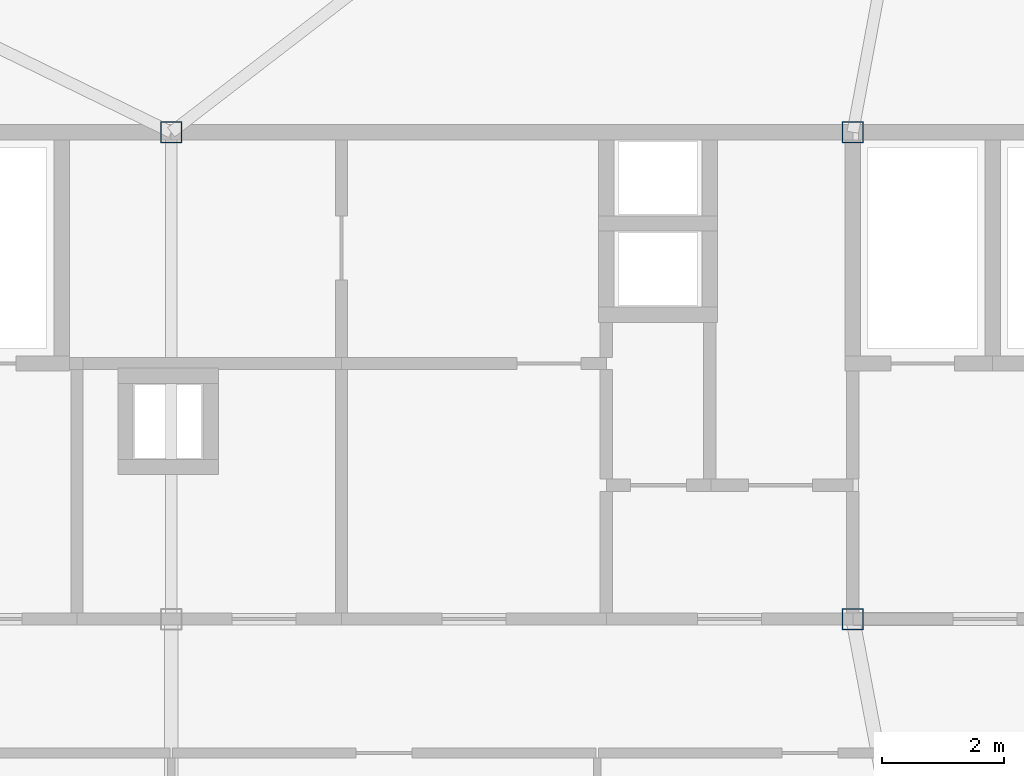
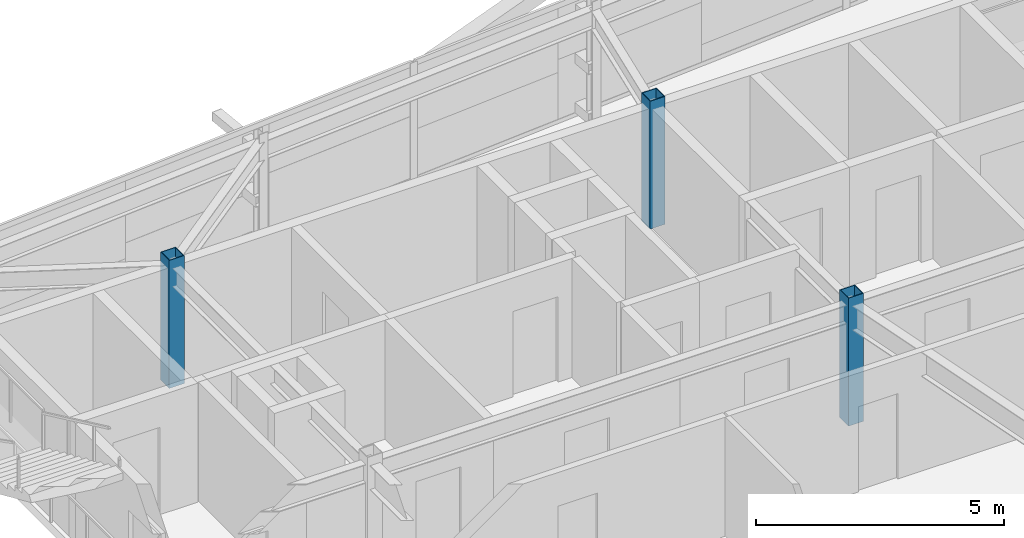
# One storey, part 3 of 39: 3 columns.
"""IFC4 building model written with IfcOpenShell, lengths in metres."""

import ifcopenshell
import ifcopenshell.guid

model = None  # the IFC model being written
_history = None  # IfcOwnerHistory: only IFC2X3 demands one
_inside = {}  # id of a spatial element -> (the spatial element, [elements in it])
_under = {}  # id of a project, library or spatial element -> (it, [spatial elements below it])
_declared = {}  # id of a project -> (the project, [libraries it declares])
_typed = {}  # id of a type object -> (the type object, [elements of that type])
_made_of = {}  # id of a material, layer set ... -> (it, [elements and type objects made of it])


def new_model(schema):
    """Start an empty IFC model of exactly this schema.

    Asked for "IFC4X3", IfcOpenShell would pick the latest addendum, in which some entities
    have other attributes; the version numbers below select the first issue.
    IFC2X3 requires an IfcOwnerHistory on every rooted entity: one is made here for all.
    """
    global model, _history
    if schema == "IFC4X3":
        model = ifcopenshell.file(schema_version=(4, 3, 0, 0))
    else:
        model = ifcopenshell.file(schema=schema)
    _inside.clear()
    _under.clear()
    _declared.clear()
    _typed.clear()
    _made_of.clear()
    _history = None
    if model.schema == "IFC2X3":
        org = make("IfcOrganization", Name="unknown")
        user = make(
            "IfcPersonAndOrganization",
            ThePerson=make("IfcPerson", FamilyName="unknown"),
            TheOrganization=org,
        )
        app = make(
            "IfcApplication",
            ApplicationDeveloper=org,
            Version="unknown",
            ApplicationFullName="unknown",
            ApplicationIdentifier="unknown",
        )
        _history = make(
            "IfcOwnerHistory",
            OwningUser=user,
            OwningApplication=app,
            ChangeAction="ADDED",
            CreationDate=0,
        )
    return model


def make(cls, **values):
    """One entity of the class cls with the attributes given. An attribute that is None is left unset."""
    return model.create_entity(
        cls, **{name: value for name, value in values.items() if value is not None}
    )


def rooted(cls, **values):
    """An entity with a GlobalId (a new one), such as an element, a storey or a relation."""
    return make(cls, GlobalId=ifcopenshell.guid.new(), OwnerHistory=_history, **values)


def si_unit(unit_type, name, prefix=None):
    """IfcSIUnit, for example si_unit("LENGTHUNIT", "METRE", prefix="MILLI")."""
    return make("IfcSIUnit", UnitType=unit_type, Prefix=prefix, Name=name)


def assignment(units):
    """IfcUnitAssignment: the units of a project."""
    return None if units is None else make("IfcUnitAssignment", Units=units)


def point(xyz):
    """IfcCartesianPoint."""
    return None if xyz is None else make("IfcCartesianPoint", Coordinates=xyz)


def direction(xyz):
    """IfcDirection."""
    return None if xyz is None else make("IfcDirection", DirectionRatios=xyz)


def frame(location, z_axis=None, x_axis=None):
    """IfcAxis2Placement3D, a coordinate frame: its origin and axes. An axis left out is left unset."""
    return make(
        "IfcAxis2Placement3D",
        Location=point(location),
        Axis=direction(z_axis),
        RefDirection=direction(x_axis),
    )


def frame_2d(location, x_axis=None):
    """IfcAxis2Placement2D, a coordinate frame in the plane: its origin and x axis."""
    return make(
        "IfcAxis2Placement2D", Location=point(location), RefDirection=direction(x_axis)
    )


def origin():
    """The frame at (0, 0, 0) with its axes left unset."""
    return frame((0.0, 0.0, 0.0))


def origin_2d():
    """The frame at (0, 0) in the plane with its x axis left unset."""
    return frame_2d((0.0, 0.0))


def place(relative_to, where):
    """IfcLocalPlacement: puts the frame where relative to a parent placement (None: the world)."""
    return make(
        "IfcLocalPlacement", PlacementRelTo=relative_to, RelativePlacement=where
    )


def context(
    kind, dimensions, precision=None, world=None, true_north=None, identifier=None
):
    """IfcGeometricRepresentationContext, for example the 3D "Model" context."""
    return make(
        "IfcGeometricRepresentationContext",
        ContextIdentifier=identifier,
        ContextType=kind,
        CoordinateSpaceDimension=dimensions,
        Precision=precision,
        WorldCoordinateSystem=world,
        TrueNorth=true_north,
    )


def subcontext(parent, identifier, kind, view, scale=None):
    """IfcGeometricRepresentationSubContext, for example "Body" below "Model"."""
    return make(
        "IfcGeometricRepresentationSubContext",
        ContextIdentifier=identifier,
        ContextType=kind,
        ParentContext=parent,
        TargetScale=scale,
        TargetView=view,
    )


def project(units=None, contexts=None):
    """IfcProject with its units and contexts."""
    return rooted(
        "IfcProject",
        Name="project",
        RepresentationContexts=contexts,
        UnitsInContext=assignment(units),
    )


def spatial(cls, under=None, at=None, **own):
    """A site, building, storey or space (cls), placed at a placement, below another one or the project."""
    s = rooted(cls, ObjectPlacement=at, **own)
    if under is not None:
        _under.setdefault(under.id(), (under, []))[1].append(s)
    return s


def profile(cls, at=None, kind="AREA", **sizes):
    """A parametric profile (cls). Its sizes go by their IFC names, for example OverallWidth=200.0."""
    return make(cls, ProfileType=kind, Position=at, **sizes)


def hollow_rectangle(**sizes):
    """IfcRectangleHollowProfileDef."""
    return profile("IfcRectangleHollowProfileDef", **sizes)


def extrude(swept, where, along, depth):
    """IfcExtrudedAreaSolid: the profile swept, set in the frame where, extruded along a direction by depth."""
    return make(
        "IfcExtrudedAreaSolid",
        SweptArea=swept,
        Position=where,
        ExtrudedDirection=direction(along),
        Depth=depth,
    )


def shape(context_of_items, identifier, shape_type, items):
    """IfcShapeRepresentation: the items that make up one representation, for example the "Body"."""
    return make(
        "IfcShapeRepresentation",
        ContextOfItems=context_of_items,
        RepresentationIdentifier=identifier,
        RepresentationType=shape_type,
        Items=items,
    )


def source(mapping_origin, context_of_items, identifier, shape_type, items):
    """IfcRepresentationMap: a shape defined once, which mapped items show again and again."""
    return make(
        "IfcRepresentationMap",
        MappingOrigin=mapping_origin,
        MappedRepresentation=shape(context_of_items, identifier, shape_type, items),
    )


def transform(
    local_origin,
    x_axis=None,
    y_axis=None,
    z_axis=None,
    scale=None,
    scale2=None,
    scale3=None,
    uniform=True,
):
    """IfcCartesianTransformationOperator3D, or its non-uniform kind. x_axis, y_axis, z_axis: its Axis1, 2, 3."""
    if uniform:
        return make(
            "IfcCartesianTransformationOperator3D",
            Axis1=direction(x_axis),
            Axis2=direction(y_axis),
            LocalOrigin=point(local_origin),
            Scale=scale,
            Axis3=direction(z_axis),
        )
    return make(
        "IfcCartesianTransformationOperator3DnonUniform",
        Axis1=direction(x_axis),
        Axis2=direction(y_axis),
        LocalOrigin=point(local_origin),
        Scale=scale,
        Axis3=direction(z_axis),
        Scale2=scale2,
        Scale3=scale3,
    )


def mapped(mapping_source, mapping_target):
    """IfcMappedItem: shows the shape of a source again, moved by a transform."""
    return make(
        "IfcMappedItem", MappingSource=mapping_source, MappingTarget=mapping_target
    )


def material(Name=None, Category=None):
    """IfcMaterial."""
    return make("IfcMaterial", Name=Name, Category=Category)


def material_profile(
    of_material, cross_section, Name=None, Category=None, Priority=None
):
    """IfcMaterialProfile: a cross section and its material."""
    return make(
        "IfcMaterialProfile",
        Name=Name,
        Material=of_material,
        Profile=cross_section,
        Priority=Priority,
        Category=Category,
    )


def profile_set(profiles, Name=None, composite=None):
    """IfcMaterialProfileSet."""
    return make(
        "IfcMaterialProfileSet",
        Name=Name,
        MaterialProfiles=profiles,
        CompositeProfile=composite,
    )


def made_of(thing, what):
    """Note that an element or type object is made of a material, layer set ...; save() writes the relation."""
    if what is not None:
        _made_of.setdefault(what.id(), (what, []))[1].append(thing)
    return thing


def type_object(cls, material=None, **own):
    """A type object (cls), such as IfcWallType, which elements share."""
    return made_of(rooted(cls, **own), material)


def element(
    cls,
    number,
    at=None,
    inside=None,
    cuts=None,
    type_object=None,
    material=None,
    context=None,
    identifier="Body",
    shape_type=None,
    held_by="IfcProductDefinitionShape",
    body=None,
    shapes=None,
    **own,
):
    """One element of the class cls, such as IfcWall. Its Tag is "e" and its number.

    at: its placement. inside: the storey or other place that contains it. cuts: it is an
    opening in that element (IfcRelVoidsElement). A single representation is given by context,
    identifier, shape_type and body (its items); several are given by shapes. held_by: the class
    of the entity that holds the representations. save() writes the other relations.
    """
    e = rooted(cls, Tag="e%d" % number, ObjectPlacement=at, **own)
    if body is not None:
        shapes = [shape(context, identifier, shape_type, body)]
    if shapes is not None:
        e.Representation = make(held_by, Representations=shapes)
    if inside is not None:
        _inside.setdefault(inside.id(), (inside, []))[1].append(e)
    if cuts is not None:
        rooted(
            "IfcRelVoidsElement", RelatingBuildingElement=cuts, RelatedOpeningElement=e
        )
    if type_object is not None:
        _typed.setdefault(type_object.id(), (type_object, []))[1].append(e)
    return made_of(e, material)


def aggregate(whole, parts):
    """IfcRelAggregates: a whole, such as a stair, and the parts it consists of."""
    return rooted("IfcRelAggregates", RelatingObject=whole, RelatedObjects=parts)


def save(model, path):
    """Write the relations noted so far, then the file.

    IfcRelAggregates (storeys below a building ...), IfcRelContainedInSpatialStructure (elements
    in a storey), IfcRelDefinesByType, IfcRelAssociatesMaterial and IfcRelDeclares: one each for
    every whole, place, type object, material and project.
    """
    for whole, parts in _under.values():
        aggregate(whole, parts)
    for where, things in _inside.values():
        rooted(
            "IfcRelContainedInSpatialStructure",
            RelatedElements=things,
            RelatingStructure=where,
        )
    for kind, things in _typed.values():
        rooted("IfcRelDefinesByType", RelatedObjects=things, RelatingType=kind)
    for what, things in _made_of.values():
        rooted("IfcRelAssociatesMaterial", RelatedObjects=things, RelatingMaterial=what)
    for by, libraries in _declared.values():
        rooted("IfcRelDeclares", RelatingContext=by, RelatedDefinitions=libraries)
    model.write(path)


model = new_model("IFC4")

# Units and contexts
model_context = context("Model", 3, precision=1e-05, world=origin(), true_north=direction((0.0, 1.0)))
body_context = subcontext(model_context, "Body", "Model", "MODEL_VIEW")
ifc_project = project(units=[si_unit("LENGTHUNIT", "METRE"), si_unit("AREAUNIT", "SQUARE_METRE"), si_unit("VOLUMEUNIT", "CUBIC_METRE"), si_unit("PLANEANGLEUNIT", "RADIAN"), si_unit("MASSUNIT", "GRAM", prefix="KILO")], contexts=[model_context])

# Site, building, storey
site_placement = place(None, origin())
site = spatial("IfcSite", under=ifc_project, at=site_placement, CompositionType="ELEMENT")
building_placement = place(site_placement, origin())
building = spatial("IfcBuilding", under=site, at=building_placement, Name="Taldren Reach Tower", CompositionType="ELEMENT")
storey_placement = place(building_placement, frame((0.0, 0.0, 178.85009765625)))
storey = spatial("IfcBuildingStorey", under=building, at=storey_placement, Name="L54", CompositionType="ELEMENT", Elevation=178.85009765625)

# Columns
ifc_material = material(Name="Steel Gr 450 (C450L0)", Category="steel")
ifc_material_profile = material_profile(ifc_material, hollow_rectangle(XDim=0.35009765625, YDim=0.35009765625, WallThickness=0.01611328125, at=origin_2d()), Name="350x350x16.0SHS")
ifc_profile_set = profile_set([ifc_material_profile], Name="Steel Gr 450 (C450L0)")
column_type = type_object("IfcColumnType", Name="COL-SHS350", PredefinedType="COLUMN", material=ifc_profile_set)
shared_shape = source(origin(), body_context, "Body", "SweptSolid", [
    extrude(hollow_rectangle(XDim=0.35009765625, YDim=0.35009765625, WallThickness=0.01611328125, at=origin_2d()), origin(), (0.0, 0.0, 1.0), 3.14990234375),
])
for number, where, z_axis, x_axis, name in (
    (1, (39.199951171875, 24.0, 0.0), (0.0, 0.0, 1.0), (1.0, 0.0, 0.0), "Mega column MC-C3 L54"),
    (2, (28.0, 32.0, 0.0), (0.0, 0.0, 1.0), (1.0, 0.0, 0.0), "Mega column MC-C6 L54"),
    (3, (39.199951171875, 32.0, 0.0), (0.0, 0.0, 1.0), (1.0, 0.0, 0.0), "Mega column MC-C7 L54"),
):
    element("IfcColumn", number, at=place(storey_placement, frame(where, z_axis=z_axis, x_axis=x_axis)), inside=storey, type_object=column_type, Name=name, PredefinedType="COLUMN", context=body_context, shape_type="MappedRepresentation", body=[
        mapped(shared_shape, transform((0.0, 0.0, 0.0), scale=1.0)),
    ])

save(model, "model.ifc")
